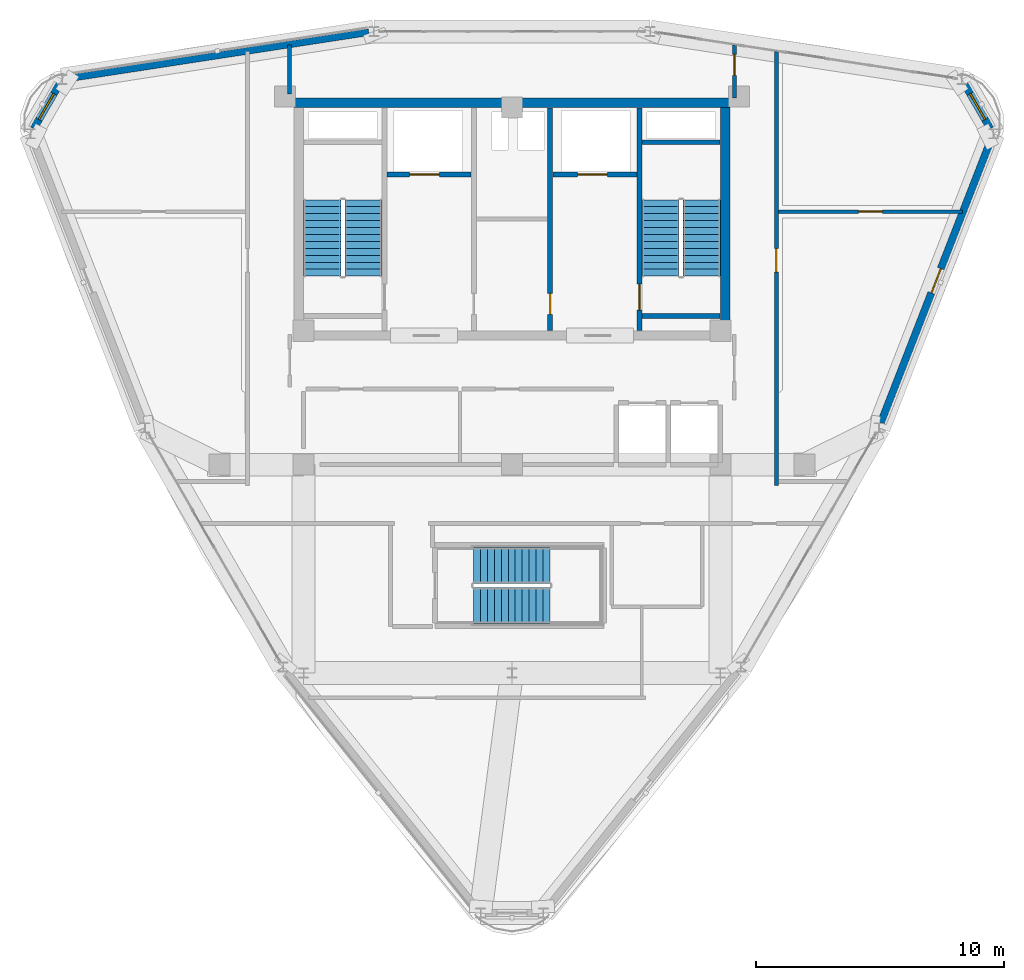
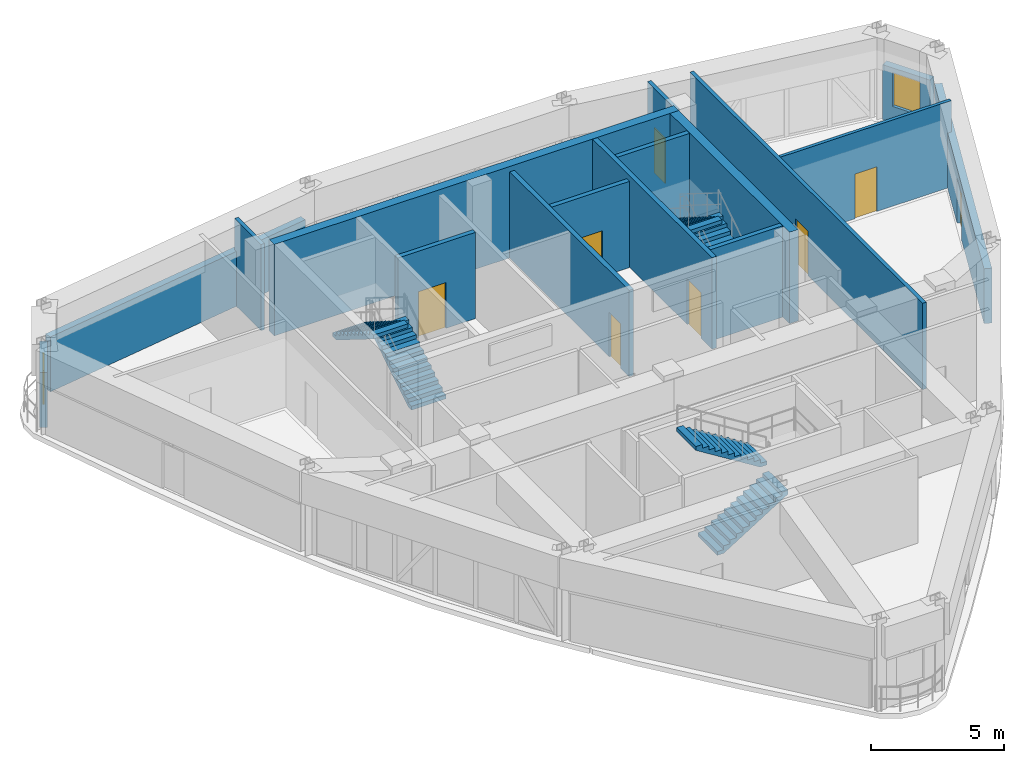
# One storey, part 14 of 17: 16 walls, 8 doors, 6 stair flights, 2 windows, 10 openings, 3 elements without a shape of their own.
"""IFC4 building model written with IfcOpenShell, lengths in metres."""

from ifc_helpers import new_model, si_unit, derived_unit, direction, frame, frame_2d, origin, place, context, subcontext, project, spatial, polyline, rectangle, outline, extrude, material, layer, layer_set, type_object, element, fill, aggregate, save


model = new_model("IFC4")

# Units and contexts
model_context = context("Model", 3, precision=1e-05, world=origin(), true_north=direction((0.0, 1.0)))
body_context = subcontext(model_context, "Body", "Model", "MODEL_VIEW")
ifc_project = project(units=[si_unit("LENGTHUNIT", "METRE"), si_unit("AREAUNIT", "SQUARE_METRE"), si_unit("VOLUMEUNIT", "CUBIC_METRE"), si_unit("PLANEANGLEUNIT", "RADIAN"), si_unit("MASSUNIT", "GRAM", prefix="KILO"), derived_unit("THERMALTRANSMITTANCEUNIT", [(si_unit("POWERUNIT", "WATT"), 1), (si_unit("LENGTHUNIT", "METRE"), -2), (si_unit("THERMODYNAMICTEMPERATUREUNIT", "KELVIN"), -1)])], contexts=[model_context])

# Site, building, storey
site_placement = place(None, origin())
site = spatial("IfcSite", under=ifc_project, at=site_placement, CompositionType="ELEMENT")
building_placement = place(site_placement, origin())
building = spatial("IfcBuilding", under=site, at=building_placement, Name="Korsvarv Bourse and Concert Hall", CompositionType="ELEMENT")
storey_placement = place(building_placement, frame((0.0, 0.0, 279.60009765625)))
storey = spatial("IfcBuildingStorey", under=building, at=storey_placement, Name="L73", CompositionType="ELEMENT", Elevation=279.60009765625)

# Walls
ifc_material_1 = material(Name="Concrete C50/60", Category="concrete")
ifc_layer_1 = layer(ifc_material_1, 0.3798828125)
ifc_layer_set_1 = layer_set([ifc_layer_1], Name="Concrete C50/60")
wall_type_1 = type_object("IfcWallType", Name="WL-CORE-380", PredefinedType="SHEAR", material=ifc_layer_set_1)
wall_1_placement = place(storey_placement, frame((27.219970703125, 46.989990234375, 0.0), z_axis=(0.0, 0.0, 1.0), x_axis=(1.0, 0.0, 0.0)))
element("IfcWall", 1, at=wall_1_placement, inside=storey, type_object=wall_type_1, Name="L73 North Core Shear Wall", PredefinedType="SHEAR", context=body_context, shape_type="SweptSolid", body=[
    extrude(rectangle(XDim=17.56005859375, YDim=0.3798828125, at=frame_2d((8.780029296875, 0.0))), origin(), (0.0, 0.0, 1.0), 4.199951171875),
])
wall_2_placement = place(storey_placement, frame((44.590087890625, 37.800048828125, 0.0), z_axis=(0.0, 0.0, 1.0), x_axis=(0.0, 1.0, 0.0)))
element("IfcWall", 2, at=wall_2_placement, inside=storey, type_object=wall_type_1, Name="L73 East Core Shear Wall", PredefinedType="SHEAR", context=body_context, shape_type="SweptSolid", body=[
    extrude(rectangle(XDim=9.0, YDim=0.3798828125, at=frame_2d((4.5, 0.0))), origin(), (0.0, 0.0, 1.0), 4.199951171875),
])

# Wall, opening, door
wall_3_placement = place(storey_placement, frame((41.139892578125, 37.81005859375, 0.0), z_axis=(0.0, 0.0, 1.0), x_axis=(0.0, 1.0, 0.0)))
wall_3 = element("IfcWall", 3, at=wall_3_placement, inside=storey, type_object=wall_type_1, Name="L73 stair shaft structural wall W-L73-ST2-W", PredefinedType="SHEAR", context=body_context, shape_type="SweptSolid", body=[
    extrude(rectangle(XDim=8.97998046875, YDim=0.199951171875, at=frame_2d((4.489990234375, 0.0))), origin(), (0.0, 0.0, 1.0), 4.199951171875),
])
opening_1_placement = place(wall_3_placement, frame((0.820068359375, 0.0, 0.0)))
opening_1 = element("IfcOpeningElement", 4, at=opening_1_placement, cuts=wall_3, Name="Opening D-01", PredefinedType="OPENING", context=body_context, shape_type="SweptSolid", body=[
    extrude(rectangle(XDim=1.050048828125, YDim=2.10009765625, at=frame_2d((0.52490234375, 1.050048828125))), frame((0.0, 0.10986328125, 0.0), z_axis=(0.0, -1.0, 0.0), x_axis=(1.0, 0.0, 0.0)), (0.0, 0.0, 1.0), 0.219970703125),
])
ifc_material_2 = material(Name="Steel S355 fire door", Category="steel")
door_type_1 = type_object("IfcDoorType", Name="DR-FD60", OperationType="NOTDEFINED", PredefinedType="DOOR", material=ifc_material_2)
door_1_placement = place(opening_1_placement, frame((1.050048828125, 0.0, 0.0), z_axis=(0.0, 0.0, 1.0), x_axis=(-1.0, 0.0, 0.0)))
door_1 = element("IfcDoor", 5, at=door_1_placement, inside=storey, type_object=door_type_1, Name="L73 interior door DR-L73-ST2", OperationType="SINGLE_SWING_LEFT", OverallHeight=2.10009765625, OverallWidth=1.050048828125, PredefinedType="DOOR", context=body_context, shape_type="SweptSolid", body=[
    extrude(rectangle(XDim=1.050048828125, YDim=2.10009765625, at=frame_2d((0.52490234375, 1.050048828125))), frame((0.0, 0.02490234375, 0.0), z_axis=(0.0, -1.0, 0.0), x_axis=(1.0, 0.0, 0.0)), (0.0, 0.0, 1.0), 0.050048828125),
])
fill(opening_1, door_1)

# Walls
for number, where, z_axis, x_axis, name in (
    (6, (41.25, 45.39990234375, 0.0), (0.0, 0.0, 1.0), (1.0, 0.0, 0.0), "L73 stair shaft structural wall W-L73-ST2-N"),
    (7, (41.25, 38.39990234375, 0.0), (0.0, 0.0, 1.0), (1.0, 0.0, 0.0), "L73 stair shaft structural wall W-L73-ST2-S"),
):
    element("IfcWall", number, at=place(storey_placement, frame(where, z_axis=z_axis, x_axis=x_axis)), inside=storey, type_object=wall_type_1, Name=name, PredefinedType="SHEAR", context=body_context, shape_type="SweptSolid", body=[
        extrude(rectangle(XDim=3.139892578125, YDim=0.199951171875, at=frame_2d((1.56982421875, 0.0))), origin(), (0.0, 0.0, 1.0), 4.199951171875),
    ])

# Wall, opening, window
ifc_material_3 = material(Name="Precast concrete C45/55 with terracotta rainscreen", Category="concrete")
ifc_layer_2 = layer(ifc_material_3, 0.300048828125)
ifc_layer_set_2 = layer_set([ifc_layer_2], Name="Precast concrete C45/55 with terracotta rainscreen")
wall_type_2 = type_object("IfcWallType", Name="WL-EXT-TC1", PredefinedType="SOLIDWALL", material=ifc_layer_set_2)
wall_4_placement = place(storey_placement, frame((55.287841796875, 45.9453125, 0.0), z_axis=(0.0, 0.0, 1.0), x_axis=(-0.499883026796, 0.866092927763, 0.0)))
wall_4 = element("IfcWall", 8, at=wall_4_placement, inside=storey, type_object=wall_type_2, Name="L73 terracotta exterior wall EW-L73-B01", PredefinedType="SOLIDWALL", context=body_context, shape_type="SweptSolid", body=[
    extrude(rectangle(XDim=2.06201171875, YDim=0.300048828125, at=frame_2d((1.031005859375, 0.0))), origin(), (0.0, 0.0, 1.0), 2.52001953125),
])
opening_2_placement = place(wall_4_placement, frame((0.430908203125, 0.0, 0.75)))
opening_2 = element("IfcOpeningElement", 9, at=opening_2_placement, cuts=wall_4, Name="Opening W-16", PredefinedType="OPENING", context=body_context, shape_type="SweptSolid", body=[
    extrude(rectangle(XDim=1.199951171875, YDim=1.550048828125, at=frame_2d((0.60009765625, 0.77490234375))), frame((0.0, 0.16015625, 0.0), z_axis=(0.0, -1.0, 0.0), x_axis=(1.0, 0.0, 0.0)), (0.0, 0.0, 1.0), 0.320068359375),
])
ifc_material_4 = material(Name="Thermally broken aluminium frame with triple low-E glass", Category="glass")
window_type = type_object("IfcWindowType", Name="WIN-TW2-1200X1550", PartitioningType="SINGLE_PANEL", PredefinedType="WINDOW", material=ifc_material_4)
window_1_placement = place(opening_2_placement, origin())
window_1 = element("IfcWindow", 10, at=window_1_placement, inside=storey, type_object=window_type, Name="L73 punched facade window W-16", OverallHeight=1.550048828125, OverallWidth=1.199951171875, PartitioningType="SINGLE_PANEL", PredefinedType="WINDOW", context=body_context, shape_type="SweptSolid", body=[
    extrude(rectangle(XDim=1.199951171875, YDim=1.550048828125, at=frame_2d((0.60009765625, 0.77490234375))), frame((0.0, 0.030029296875, 0.0), z_axis=(0.0, -1.0, 0.0), x_axis=(1.0, 0.0, 0.0)), (0.0, 0.0, 1.0), 0.06005859375),
])
fill(opening_2, window_1)

wall_5_placement = place(storey_placement, frame((17.742919921875, 47.731201171875, 0.0), z_axis=(0.0, 0.0, 1.0), x_axis=(-0.499883026796, -0.866092927763, 0.0)))
wall_5 = element("IfcWall", 11, at=wall_5_placement, inside=storey, type_object=wall_type_2, Name="L73 terracotta exterior wall EW-L73-B05", PredefinedType="SOLIDWALL", context=body_context, shape_type="SweptSolid", body=[
    extrude(rectangle(XDim=2.06201171875, YDim=0.300048828125, at=frame_2d((1.031005859375, 0.0))), origin(), (0.0, 0.0, 1.0), 2.52001953125),
])
opening_3_placement = place(wall_5_placement, frame((0.430908203125, 0.0, 0.75)))
opening_3 = element("IfcOpeningElement", 12, at=opening_3_placement, cuts=wall_5, Name="Opening W-16", PredefinedType="OPENING", context=body_context, shape_type="SweptSolid", body=[
    extrude(rectangle(XDim=1.199951171875, YDim=1.550048828125, at=frame_2d((0.60009765625, 0.77490234375))), frame((0.0, 0.16015625, 0.0), z_axis=(0.0, -1.0, 0.0), x_axis=(1.0, 0.0, 0.0)), (0.0, 0.0, 1.0), 0.320068359375),
])
window_2_placement = place(opening_3_placement, origin())
window_2 = element("IfcWindow", 13, at=window_2_placement, inside=storey, type_object=window_type, Name="L73 punched facade window W-16", OverallHeight=1.550048828125, OverallWidth=1.199951171875, PartitioningType="SINGLE_PANEL", PredefinedType="WINDOW", context=body_context, shape_type="SweptSolid", body=[
    extrude(rectangle(XDim=1.199951171875, YDim=1.550048828125, at=frame_2d((0.60009765625, 0.77490234375))), frame((0.0, 0.030029296875, 0.0), z_axis=(0.0, -1.0, 0.0), x_axis=(1.0, 0.0, 0.0)), (0.0, 0.0, 1.0), 0.06005859375),
])
fill(opening_3, window_2)

# Wall, opening, door
wall_6_placement = place(storey_placement, frame((50.874267578125, 34.093994140625, 0.0), z_axis=(0.0, 0.0, 1.0), x_axis=(0.362611301042, 0.931940472539, 0.0)))
wall_6 = element("IfcWall", 14, at=wall_6_placement, inside=storey, type_object=wall_type_2, Name="L73 terracotta exterior wall EW-L73-B12", PredefinedType="SOLIDWALL", context=body_context, shape_type="SweptSolid", body=[
    extrude(rectangle(XDim=12.278076171875, YDim=0.300048828125, at=frame_2d((6.13916015625, 0.0))), origin(), (0.0, 0.0, 1.0), 2.52001953125),
])
opening_4_placement = place(wall_6_placement, frame((5.614013671875, 0.0, 0.0)))
opening_4 = element("IfcOpeningElement", 15, at=opening_4_placement, cuts=wall_6, Name="Opening ED-02", PredefinedType="OPENING", context=body_context, shape_type="SweptSolid", body=[
    extrude(rectangle(XDim=1.050048828125, YDim=2.10009765625, at=frame_2d((0.52490234375, 1.050048828125))), frame((0.0, 0.16015625, 0.0), z_axis=(0.0, -1.0, 0.0), x_axis=(1.0, 0.0, 0.0)), (0.0, 0.0, 1.0), 0.320068359375),
])
ifc_material_5 = material(Name="Thermally broken anodised aluminium and laminated safety glass", Category="aluminium")
door_type_2 = type_object("IfcDoorType", Name="DR-EXT-TERR", OperationType="NOTDEFINED", PredefinedType="DOOR", material=ifc_material_5)
door_2_placement = place(opening_4_placement, frame((1.050048828125, 0.0, 0.0), z_axis=(0.0, 0.0, 1.0), x_axis=(-1.0, 0.0, 0.0)))
door_2 = element("IfcDoor", 16, at=door_2_placement, inside=storey, type_object=door_type_2, Name="L73 Sky Garden Terrace Access Door", OperationType="SINGLE_SWING_LEFT", OverallHeight=2.10009765625, OverallWidth=1.050048828125, PredefinedType="DOOR", context=body_context, shape_type="SweptSolid", body=[
    extrude(rectangle(XDim=1.050048828125, YDim=2.10009765625, at=frame_2d((0.52490234375, 1.050048828125))), frame((0.0, 0.02490234375, 0.0), z_axis=(0.0, -1.0, 0.0), x_axis=(1.0, 0.0, 0.0)), (0.0, 0.0, 1.0), 0.050048828125),
])
fill(opening_4, door_2)

# Wall
ifc_material_6 = material(Name="Precast concrete C45/55 with fluted terracotta pier", Category="concrete")
ifc_layer_3 = layer(ifc_material_6, 0.280029296875)
ifc_layer_set_3 = layer_set([ifc_layer_3], Name="Precast concrete C45/55 with fluted terracotta pier")
wall_type_3 = type_object("IfcWallType", Name="WL-EXT-TC2", PredefinedType="SOLIDWALL", material=ifc_layer_set_3)
wall_7_placement = place(storey_placement, frame((30.22509765625, 49.836181640625, 0.0), z_axis=(0.0, 0.0, 1.0), x_axis=(-0.988391650679, -0.151927432902, 0.0)))
element("IfcWall", 17, at=wall_7_placement, inside=storey, type_object=wall_type_3, Name="L73 terracotta exterior wall EW-L73-B04", PredefinedType="SOLIDWALL", context=body_context, shape_type="SweptSolid", body=[
    extrude(rectangle(XDim=12.30126953125, YDim=0.280029296875, at=frame_2d((6.150634765625, 0.0))), origin(), (0.0, 0.0, 1.0), 2.52001953125),
])

# Wall, opening, door
ifc_material_7 = material(Name="Reinforced concrete blockwork C35/45 fire wall", Category="concrete")
ifc_layer_4 = layer(ifc_material_7, 0.199951171875)
ifc_layer_set_4 = layer_set([ifc_layer_4], Name="Reinforced concrete blockwork C35/45 fire wall")
wall_type_4 = type_object("IfcWallType", Name="WL-INT-EI120", PredefinedType="PARTITIONING", material=ifc_layer_set_4)
wall_8_placement = place(storey_placement, frame((30.969970703125, 44.10009765625, 0.0), z_axis=(0.0, 0.0, 1.0), x_axis=(1.0, 0.0, 0.0)))
wall_8 = element("IfcWall", 18, at=wall_8_placement, inside=storey, type_object=wall_type_4, Name="L73 interior partition wall W-L73-FF1-S", PredefinedType="PARTITIONING", context=body_context, shape_type="SweptSolid", body=[
    extrude(rectangle(XDim=3.380126953125, YDim=0.199951171875, at=frame_2d((1.68994140625, 0.0))), origin(), (0.0, 0.0, 1.0), 3.9599609375),
])
opening_5_placement = place(wall_8_placement, frame((0.89990234375, 0.0, 0.0)))
opening_5 = element("IfcOpeningElement", 19, at=opening_5_placement, cuts=wall_8, Name="Opening LD-1", PredefinedType="OPENING", context=body_context, shape_type="SweptSolid", body=[
    extrude(rectangle(XDim=1.199951171875, YDim=2.10009765625, at=frame_2d((0.60009765625, 1.050048828125))), frame((0.0, 0.10986328125, 0.0), z_axis=(0.0, -1.0, 0.0), x_axis=(1.0, 0.0, 0.0)), (0.0, 0.0, 1.0), 0.219970703125),
])
ifc_material_8 = material(Name="Stainless Steel S355 firefighting lift landing door", Category="steel")
door_type_3 = type_object("IfcDoorType", Name="DR-LIFT-FF", OperationType="DOUBLE_DOOR_SLIDING", PredefinedType="DOOR", material=ifc_material_8)
door_3_placement = place(opening_5_placement, origin())
door_3 = element("IfcDoor", 20, at=door_3_placement, inside=storey, type_object=door_type_3, Name="L73 lift sliding landing door LD-L73-FF1", OperationType="DOUBLE_DOOR_SLIDING", OverallHeight=2.10009765625, OverallWidth=1.199951171875, PredefinedType="DOOR", context=body_context, shape_type="SweptSolid", body=[
    extrude(rectangle(XDim=1.199951171875, YDim=2.10009765625, at=frame_2d((0.60009765625, 1.050048828125))), frame((0.0, 0.02490234375, 0.0), z_axis=(0.0, -1.0, 0.0), x_axis=(1.0, 0.0, 0.0)), (0.0, 0.0, 1.0), 0.050048828125),
])
fill(opening_5, door_3)

wall_9_placement = place(storey_placement, frame((37.64990234375, 44.10009765625, 0.0), z_axis=(0.0, 0.0, 1.0), x_axis=(1.0, 0.0, 0.0)))
wall_9 = element("IfcWall", 21, at=wall_9_placement, inside=storey, type_object=wall_type_4, Name="L73 interior partition wall W-L73-FF2-S", PredefinedType="PARTITIONING", context=body_context, shape_type="SweptSolid", body=[
    extrude(rectangle(XDim=3.380126953125, YDim=0.199951171875, at=frame_2d((1.68994140625, 0.0))), origin(), (0.0, 0.0, 1.0), 3.9599609375),
])
opening_6_placement = place(wall_9_placement, frame((1.0, 0.0, 0.0)))
opening_6 = element("IfcOpeningElement", 22, at=opening_6_placement, cuts=wall_9, Name="Opening LD-1", PredefinedType="OPENING", context=body_context, shape_type="SweptSolid", body=[
    extrude(rectangle(XDim=1.199951171875, YDim=2.10009765625, at=frame_2d((0.60009765625, 1.050048828125))), frame((0.0, 0.10986328125, 0.0), z_axis=(0.0, -1.0, 0.0), x_axis=(1.0, 0.0, 0.0)), (0.0, 0.0, 1.0), 0.219970703125),
])
door_4_placement = place(opening_6_placement, origin())
door_4 = element("IfcDoor", 23, at=door_4_placement, inside=storey, type_object=door_type_3, Name="L73 lift sliding landing door LD-L73-FF2", OperationType="DOUBLE_DOOR_SLIDING", OverallHeight=2.10009765625, OverallWidth=1.199951171875, PredefinedType="DOOR", context=body_context, shape_type="SweptSolid", body=[
    extrude(rectangle(XDim=1.199951171875, YDim=2.10009765625, at=frame_2d((0.60009765625, 1.050048828125))), frame((0.0, 0.02490234375, 0.0), z_axis=(0.0, -1.0, 0.0), x_axis=(1.0, 0.0, 0.0)), (0.0, 0.0, 1.0), 0.050048828125),
])
fill(opening_6, door_4)

wall_10_placement = place(storey_placement, frame((37.5400390625, 37.81005859375, 0.0), z_axis=(0.0, 0.0, 1.0), x_axis=(0.0, 1.0, 0.0)))
wall_10 = element("IfcWall", 24, at=wall_10_placement, inside=storey, type_object=wall_type_4, Name="L73 interior partition wall W-L73-CSB-E", PredefinedType="PARTITIONING", context=body_context, shape_type="SweptSolid", body=[
    extrude(rectangle(XDim=8.97998046875, YDim=0.199951171875, at=frame_2d((4.489990234375, 0.0))), origin(), (0.0, 0.0, 1.0), 3.9599609375),
])
opening_7_placement = place(wall_10_placement, frame((0.64990234375, 0.0, 0.0)))
opening_7 = element("IfcOpeningElement", 25, at=opening_7_placement, cuts=wall_10, Name="Opening D-05", PredefinedType="OPENING", context=body_context, shape_type="SweptSolid", body=[
    extrude(rectangle(XDim=0.85009765625, YDim=2.050048828125, at=frame_2d((0.425048828125, 1.02490234375))), frame((0.0, 0.10986328125, 0.0), z_axis=(0.0, -1.0, 0.0), x_axis=(1.0, 0.0, 0.0)), (0.0, 0.0, 1.0), 0.219970703125),
])
door_type_4 = type_object("IfcDoorType", Name="DR-FD60-850X2050", OperationType="NOTDEFINED", PredefinedType="DOOR", material=ifc_material_2)
door_5_placement = place(opening_7_placement, origin())
door_5 = element("IfcDoor", 26, at=door_5_placement, inside=storey, type_object=door_type_4, Name="L73 interior door DR-L73-CSB2", OperationType="SINGLE_SWING_LEFT", OverallHeight=2.050048828125, OverallWidth=0.85009765625, PredefinedType="DOOR", context=body_context, shape_type="SweptSolid", body=[
    extrude(rectangle(XDim=0.85009765625, YDim=2.050048828125, at=frame_2d((0.425048828125, 1.02490234375))), frame((0.0, 0.02490234375, 0.0), z_axis=(0.0, -1.0, 0.0), x_axis=(1.0, 0.0, 0.0)), (0.0, 0.0, 1.0), 0.050048828125),
])
fill(opening_7, door_5)

ifc_material_9 = material(Name="Double-stud fire-rated acoustic partition", Category="gypsum")
ifc_layer_5 = layer(ifc_material_9, 0.159912109375)
ifc_layer_set_5 = layer_set([ifc_layer_5], Name="Double-stud fire-rated acoustic partition")
wall_type_5 = type_object("IfcWallType", Name="WL-INT-EI60", PredefinedType="PARTITIONING", material=ifc_layer_set_5)
wall_11_placement = place(storey_placement, frame((46.655029296875, 31.56005859375, 0.0), z_axis=(0.0, 0.0, 1.0), x_axis=(0.0, 1.0, 0.0)))
wall_11 = element("IfcWall", 27, at=wall_11_placement, inside=storey, type_object=wall_type_5, Name="L73 interior partition wall W-L73-LKCOR-01", PredefinedType="PARTITIONING", context=body_context, shape_type="SweptSolid", body=[
    extrude(rectangle(XDim=17.506103515625, YDim=0.159912109375, at=frame_2d((8.7529296875, 0.0))), origin(), (0.0, 0.0, 1.0), 3.9599609375),
])
opening_8_placement = place(wall_11_placement, frame((8.605224609375, 0.0, 0.0)))
opening_8 = element("IfcOpeningElement", 28, at=opening_8_placement, cuts=wall_11, Name="Opening D-02", PredefinedType="OPENING", context=body_context, shape_type="SweptSolid", body=[
    extrude(rectangle(XDim=0.949951171875, YDim=2.050048828125, at=frame_2d((0.47509765625, 1.02490234375))), frame((0.0, 0.08984375, 0.0), z_axis=(0.0, -1.0, 0.0), x_axis=(1.0, 0.0, 0.0)), (0.0, 0.0, 1.0), 0.179931640625),
])
ifc_material_10 = material(Name="Timber and steel acoustic fire door", Category="wood")
door_type_5 = type_object("IfcDoorType", Name="DR-FD30", OperationType="NOTDEFINED", PredefinedType="DOOR", material=ifc_material_10)
door_6_placement = place(opening_8_placement, origin())
door_6 = element("IfcDoor", 29, at=door_6_placement, inside=storey, type_object=door_type_5, Name="L73 interior door DR-L73-LKCOR-BS61", OperationType="SINGLE_SWING_LEFT", OverallHeight=2.050048828125, OverallWidth=0.949951171875, PredefinedType="DOOR", context=body_context, shape_type="SweptSolid", body=[
    extrude(rectangle(XDim=0.949951171875, YDim=2.050048828125, at=frame_2d((0.47509765625, 1.02490234375))), frame((0.0, 0.02490234375, 0.0), z_axis=(0.0, -1.0, 0.0), x_axis=(1.0, 0.0, 0.0)), (0.0, 0.0, 1.0), 0.050048828125),
])
fill(opening_8, door_6)

wall_12_placement = place(storey_placement, frame((44.965087890625, 47.179931640625, 0.0), z_axis=(0.0, 0.0, 1.0), x_axis=(0.0, 1.0, 0.0)))
wall_12 = element("IfcWall", 30, at=wall_12_placement, inside=storey, type_object=wall_type_5, Name="L73 interior partition wall W-L73-LKCOR-08", PredefinedType="PARTITIONING", context=body_context, shape_type="SweptSolid", body=[
    extrude(rectangle(XDim=2.14599609375, YDim=0.159912109375, at=frame_2d((1.072998046875, 0.0))), origin(), (0.0, 0.0, 1.0), 3.9599609375),
])
opening_9_placement = place(wall_12_placement, frame((0.916015625, 0.0, 0.0)))
opening_9 = element("IfcOpeningElement", 31, at=opening_9_placement, cuts=wall_12, Name="Opening D-07", PredefinedType="OPENING", context=body_context, shape_type="SweptSolid", body=[
    extrude(rectangle(XDim=0.85009765625, YDim=2.050048828125, at=frame_2d((0.425048828125, 1.02490234375))), frame((0.0, 0.08984375, 0.0), z_axis=(0.0, -1.0, 0.0), x_axis=(1.0, 0.0, 0.0)), (0.0, 0.0, 1.0), 0.179931640625),
])
door_type_6 = type_object("IfcDoorType", Name="DR-FD30-850X2050", OperationType="NOTDEFINED", PredefinedType="DOOR", material=ifc_material_10)
door_7_placement = place(opening_9_placement, origin())
door_7 = element("IfcDoor", 32, at=door_7_placement, inside=storey, type_object=door_type_6, Name="L73 interior door DR-L73-LKCOR-BS45", OperationType="SINGLE_SWING_LEFT", OverallHeight=2.050048828125, OverallWidth=0.85009765625, PredefinedType="DOOR", context=body_context, shape_type="SweptSolid", body=[
    extrude(rectangle(XDim=0.85009765625, YDim=2.050048828125, at=frame_2d((0.425048828125, 1.02490234375))), frame((0.0, 0.02490234375, 0.0), z_axis=(0.0, -1.0, 0.0), x_axis=(1.0, 0.0, 0.0)), (0.0, 0.0, 1.0), 0.050048828125),
])
fill(opening_9, door_7)

# Wall
wall_13_placement = place(storey_placement, frame((27.034912109375, 47.340087890625, 0.0), z_axis=(0.0, 0.0, 1.0), x_axis=(0.0, 1.0, 0.0)))
element("IfcWall", 33, at=wall_13_placement, inside=storey, type_object=wall_type_5, Name="L73 interior partition wall W-L73-LKCOR-09", PredefinedType="PARTITIONING", context=body_context, shape_type="SweptSolid", body=[
    extrude(rectangle(XDim=1.98583984375, YDim=0.159912109375, at=frame_2d((0.992919921875, 0.0))), origin(), (0.0, 0.0, 1.0), 3.9599609375),
])

# Wall, opening, door
ifc_material_11 = material(Name="Insulated steel-stud office acoustic partition", Category="gypsum")
ifc_layer_6 = layer(ifc_material_11, 0.139892578125)
ifc_layer_set_6 = layer_set([ifc_layer_6], Name="Insulated steel-stud office acoustic partition")
wall_type_6 = type_object("IfcWallType", Name="WL-INT-P1", PredefinedType="PARTITIONING", material=ifc_layer_set_6)
wall_14_placement = place(storey_placement, frame((46.737060546875, 42.60498046875, 0.0), z_axis=(0.0, 0.0, 1.0), x_axis=(1.0, 0.0, 0.0)))
wall_14 = element("IfcWall", 34, at=wall_14_placement, inside=storey, type_object=wall_type_6, Name="L73 interior partition wall W-L73-LKCOR-14", PredefinedType="PARTITIONING", context=body_context, shape_type="SweptSolid", body=[
    extrude(rectangle(XDim=7.428955078125, YDim=0.139892578125, at=frame_2d((3.71435546875, 0.0))), origin(), (0.0, 0.0, 1.0), 3.9599609375),
])
opening_10_placement = place(wall_14_placement, frame((3.239501953125, 0.0, 0.0)))
opening_10 = element("IfcOpeningElement", 35, at=opening_10_placement, cuts=wall_14, Name="Opening D-03", PredefinedType="OPENING", context=body_context, shape_type="SweptSolid", body=[
    extrude(rectangle(XDim=0.949951171875, YDim=2.050048828125, at=frame_2d((0.47509765625, 1.02490234375))), frame((0.0, 0.080078125, 0.0), z_axis=(0.0, -1.0, 0.0), x_axis=(1.0, 0.0, 0.0)), (0.0, 0.0, 1.0), 0.159912109375),
])
ifc_material_12 = material(Name="Nordic oak acoustic office door", Category="wood")
door_type_7 = type_object("IfcDoorType", Name="DR-INT-1", OperationType="NOTDEFINED", PredefinedType="DOOR", material=ifc_material_12)
door_8_placement = place(opening_10_placement, origin())
door_8 = element("IfcDoor", 36, at=door_8_placement, inside=storey, type_object=door_type_7, Name="L73 interior door DR-L73-LKCOR-BS72", OperationType="SINGLE_SWING_RIGHT", OverallHeight=2.050048828125, OverallWidth=0.949951171875, PredefinedType="DOOR", context=body_context, shape_type="SweptSolid", body=[
    extrude(rectangle(XDim=0.949951171875, YDim=2.050048828125, at=frame_2d((0.47509765625, 1.02490234375))), frame((0.0, 0.02490234375, 0.0), z_axis=(0.0, -1.0, 0.0), x_axis=(1.0, 0.0, 0.0)), (0.0, 0.0, 1.0), 0.050048828125),
])
fill(opening_10, door_8)

# Stair, stair flights
ifc_material_13 = material(Name="Precast concrete C45/55", Category="concrete")
stair_type_1 = type_object("IfcStairType", Name="STR-TYPE-05", PredefinedType="HALF_TURN_STAIR", material=ifc_material_13)
stair_1_placement = place(storey_placement, origin())
stair_1 = element("IfcStair", 37, at=stair_1_placement, inside=storey, type_object=stair_type_1, Name="L73 Tower West Exit Stair ST-T1", PredefinedType="HALF_TURN_STAIR")
stair_flight_type_1 = type_object("IfcStairFlightType", Name="FLT-TYPE-05", PredefinedType="STRAIGHT", material=ifc_material_13)
stair_flight_1_placement = place(storey_placement, frame((30.010009765625, 40.0, 0.0), z_axis=(0.0, 0.0, 1.0), x_axis=(0.0, 1.0, 0.0)))
stair_flight_1 = element("IfcStairFlight", 38, at=stair_flight_1_placement, type_object=stair_flight_type_1, Name="ST-T1 flight 1", NumberOfRisers=12, NumberOfTreads=11, PredefinedType="STRAIGHT", RiserHeight=0.175, TreadLength=0.28, context=body_context, shape_type="SweptSolid", body=[
    extrude(outline(polyline([(0.0, 0.0), (0.0, 0.175048828125), (0.280029296875, 0.175048828125), (0.280029296875, 0.35009765625), (0.56005859375, 0.35009765625), (0.56005859375, 0.52490234375), (0.840087890625, 0.52490234375), (0.840087890625, 0.699951171875), (1.1201171875, 0.699951171875), (1.1201171875, 0.875), (1.39990234375, 0.875), (1.39990234375, 1.050048828125), (1.679931640625, 1.050048828125), (1.679931640625, 1.22509765625), (1.9599609375, 1.22509765625), (1.9599609375, 1.39990234375), (2.239990234375, 1.39990234375), (2.239990234375, 1.574951171875), (2.52001953125, 1.574951171875), (2.52001953125, 1.75), (2.800048828125, 1.75), (2.800048828125, 1.925048828125), (3.080078125, 1.925048828125), (3.080078125, 2.10009765625), (3.080078125, 1.748291015625), (0.28271484375, 0.0), (0.0, 0.0)])), frame((0.0, 0.75, 0.0), z_axis=(0.0, -1.0, 0.0), x_axis=(1.0, 0.0, 0.0)), (0.0, 0.0, 1.0), 1.5),
])
stair_flight_2_placement = place(storey_placement, frame((28.35009765625, 43.080078125, 2.099853515625), z_axis=(0.0, 0.0, 1.0), x_axis=(0.0, -1.0, 0.0)))
stair_flight_2 = element("IfcStairFlight", 39, at=stair_flight_2_placement, type_object=stair_flight_type_1, Name="ST-T1 flight 2", NumberOfRisers=12, NumberOfTreads=11, PredefinedType="STRAIGHT", RiserHeight=0.175, TreadLength=0.28, context=body_context, shape_type="SweptSolid", body=[
    extrude(outline(polyline([(0.0, 0.0), (0.0, 0.175048828125), (0.280029296875, 0.175048828125), (0.280029296875, 0.35009765625), (0.56005859375, 0.35009765625), (0.56005859375, 0.52490234375), (0.840087890625, 0.52490234375), (0.840087890625, 0.699951171875), (1.1201171875, 0.699951171875), (1.1201171875, 0.875), (1.39990234375, 0.875), (1.39990234375, 1.050048828125), (1.679931640625, 1.050048828125), (1.679931640625, 1.22509765625), (1.9599609375, 1.22509765625), (1.9599609375, 1.39990234375), (2.239990234375, 1.39990234375), (2.239990234375, 1.574951171875), (2.52001953125, 1.574951171875), (2.52001953125, 1.75), (2.800048828125, 1.75), (2.800048828125, 1.925048828125), (3.080078125, 1.925048828125), (3.080078125, 2.10009765625), (3.080078125, 1.748291015625), (0.28271484375, 0.0), (0.0, 0.0)])), frame((0.0, 0.75, 0.0), z_axis=(0.0, -1.0, 0.0), x_axis=(1.0, 0.0, 0.0)), (0.0, 0.0, 1.0), 1.5),
])
aggregate(stair_1, [stair_flight_1, stair_flight_2])

stair_2_placement = place(storey_placement, origin())
stair_2 = element("IfcStair", 40, at=stair_2_placement, inside=storey, type_object=stair_type_1, Name="L73 Tower East Exit Stair ST-T2", PredefinedType="HALF_TURN_STAIR")
stair_flight_3_placement = place(storey_placement, frame((43.64990234375, 40.0, 0.0), z_axis=(0.0, 0.0, 1.0), x_axis=(0.0, 1.0, 0.0)))
stair_flight_3 = element("IfcStairFlight", 41, at=stair_flight_3_placement, type_object=stair_flight_type_1, Name="ST-T2 flight 1", NumberOfRisers=12, NumberOfTreads=11, PredefinedType="STRAIGHT", RiserHeight=0.175, TreadLength=0.28, context=body_context, shape_type="SweptSolid", body=[
    extrude(outline(polyline([(0.0, 0.0), (0.0, 0.175048828125), (0.280029296875, 0.175048828125), (0.280029296875, 0.35009765625), (0.56005859375, 0.35009765625), (0.56005859375, 0.52490234375), (0.840087890625, 0.52490234375), (0.840087890625, 0.699951171875), (1.1201171875, 0.699951171875), (1.1201171875, 0.875), (1.39990234375, 0.875), (1.39990234375, 1.050048828125), (1.679931640625, 1.050048828125), (1.679931640625, 1.22509765625), (1.9599609375, 1.22509765625), (1.9599609375, 1.39990234375), (2.239990234375, 1.39990234375), (2.239990234375, 1.574951171875), (2.52001953125, 1.574951171875), (2.52001953125, 1.75), (2.800048828125, 1.75), (2.800048828125, 1.925048828125), (3.080078125, 1.925048828125), (3.080078125, 2.10009765625), (3.080078125, 1.748291015625), (0.28271484375, 0.0), (0.0, 0.0)])), frame((0.0, 0.75, 0.0), z_axis=(0.0, -1.0, 0.0), x_axis=(1.0, 0.0, 0.0)), (0.0, 0.0, 1.0), 1.5),
])
stair_flight_4_placement = place(storey_placement, frame((41.989990234375, 43.080078125, 2.099853515625), z_axis=(0.0, 0.0, 1.0), x_axis=(0.0, -1.0, 0.0)))
stair_flight_4 = element("IfcStairFlight", 42, at=stair_flight_4_placement, type_object=stair_flight_type_1, Name="ST-T2 flight 2", NumberOfRisers=12, NumberOfTreads=11, PredefinedType="STRAIGHT", RiserHeight=0.175, TreadLength=0.28, context=body_context, shape_type="SweptSolid", body=[
    extrude(outline(polyline([(0.0, 0.0), (0.0, 0.175048828125), (0.280029296875, 0.175048828125), (0.280029296875, 0.35009765625), (0.56005859375, 0.35009765625), (0.56005859375, 0.52490234375), (0.840087890625, 0.52490234375), (0.840087890625, 0.699951171875), (1.1201171875, 0.699951171875), (1.1201171875, 0.875), (1.39990234375, 0.875), (1.39990234375, 1.050048828125), (1.679931640625, 1.050048828125), (1.679931640625, 1.22509765625), (1.9599609375, 1.22509765625), (1.9599609375, 1.39990234375), (2.239990234375, 1.39990234375), (2.239990234375, 1.574951171875), (2.52001953125, 1.574951171875), (2.52001953125, 1.75), (2.800048828125, 1.75), (2.800048828125, 1.925048828125), (3.080078125, 1.925048828125), (3.080078125, 2.10009765625), (3.080078125, 1.748291015625), (0.28271484375, 0.0), (0.0, 0.0)])), frame((0.0, 0.75, 0.0), z_axis=(0.0, -1.0, 0.0), x_axis=(1.0, 0.0, 0.0)), (0.0, 0.0, 1.0), 1.5),
])
aggregate(stair_2, [stair_flight_3, stair_flight_4])

stair_type_2 = type_object("IfcStairType", Name="STR-TYPE-08", PredefinedType="HALF_TURN_STAIR", material=ifc_material_13)
stair_3_placement = place(storey_placement, origin())
stair_3 = element("IfcStair", 43, at=stair_3_placement, inside=storey, type_object=stair_type_2, Name="L73 Public Lookout Feature Stair ST-LK1", PredefinedType="HALF_TURN_STAIR")
stair_flight_type_2 = type_object("IfcStairFlightType", Name="FLT-TYPE-08", PredefinedType="STRAIGHT", material=ifc_material_13)
stair_flight_5_placement = place(storey_placement, frame((34.449951171875, 26.72509765625, 0.0), z_axis=(0.0, 0.0, 1.0), x_axis=(1.0, 0.0, 0.0)))
stair_flight_5 = element("IfcStairFlight", 44, at=stair_flight_5_placement, type_object=stair_flight_type_2, Name="ST-LK1 flight 1", NumberOfRisers=12, NumberOfTreads=11, PredefinedType="STRAIGHT", RiserHeight=0.175, TreadLength=0.28, context=body_context, shape_type="SweptSolid", body=[
    extrude(outline(polyline([(0.0, 0.0), (0.0, 0.175048828125), (0.280029296875, 0.175048828125), (0.280029296875, 0.35009765625), (0.56005859375, 0.35009765625), (0.56005859375, 0.52490234375), (0.840087890625, 0.52490234375), (0.840087890625, 0.699951171875), (1.1201171875, 0.699951171875), (1.1201171875, 0.875), (1.39990234375, 0.875), (1.39990234375, 1.050048828125), (1.679931640625, 1.050048828125), (1.679931640625, 1.22509765625), (1.9599609375, 1.22509765625), (1.9599609375, 1.39990234375), (2.239990234375, 1.39990234375), (2.239990234375, 1.574951171875), (2.52001953125, 1.574951171875), (2.52001953125, 1.75), (2.800048828125, 1.75), (2.800048828125, 1.925048828125), (3.080078125, 1.925048828125), (3.080078125, 2.10009765625), (3.080078125, 1.748291015625), (0.28271484375, 0.0), (0.0, 0.0)])), frame((0.0, 0.72509765625, 0.0), z_axis=(0.0, -1.0, 0.0), x_axis=(1.0, 0.0, 0.0)), (0.0, 0.0, 1.0), 1.449951171875),
])
stair_flight_6_placement = place(storey_placement, frame((37.530029296875, 28.3349609375, 2.099853515625), z_axis=(0.0, 0.0, 1.0), x_axis=(-1.0, 0.0, 0.0)))
stair_flight_6 = element("IfcStairFlight", 45, at=stair_flight_6_placement, type_object=stair_flight_type_2, Name="ST-LK1 flight 2", NumberOfRisers=12, NumberOfTreads=11, PredefinedType="STRAIGHT", RiserHeight=0.175, TreadLength=0.28, context=body_context, shape_type="SweptSolid", body=[
    extrude(outline(polyline([(0.0, 0.0), (0.0, 0.175048828125), (0.280029296875, 0.175048828125), (0.280029296875, 0.35009765625), (0.56005859375, 0.35009765625), (0.56005859375, 0.52490234375), (0.840087890625, 0.52490234375), (0.840087890625, 0.699951171875), (1.1201171875, 0.699951171875), (1.1201171875, 0.875), (1.39990234375, 0.875), (1.39990234375, 1.050048828125), (1.679931640625, 1.050048828125), (1.679931640625, 1.22509765625), (1.9599609375, 1.22509765625), (1.9599609375, 1.39990234375), (2.239990234375, 1.39990234375), (2.239990234375, 1.574951171875), (2.52001953125, 1.574951171875), (2.52001953125, 1.75), (2.800048828125, 1.75), (2.800048828125, 1.925048828125), (3.080078125, 1.925048828125), (3.080078125, 2.10009765625), (3.080078125, 1.748291015625), (0.28271484375, 0.0), (0.0, 0.0)])), frame((0.0, 0.72509765625, 0.0), z_axis=(0.0, -1.0, 0.0), x_axis=(1.0, 0.0, 0.0)), (0.0, 0.0, 1.0), 1.449951171875),
])
aggregate(stair_3, [stair_flight_5, stair_flight_6])

save(model, "model.ifc")
